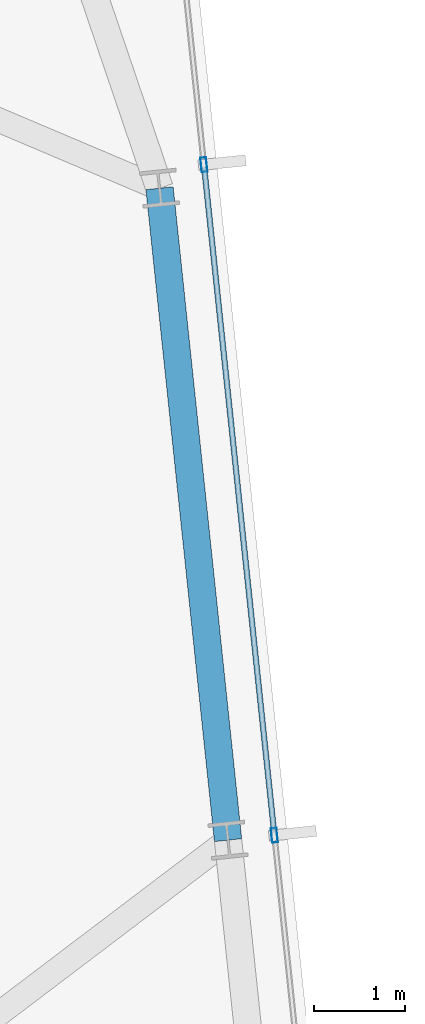
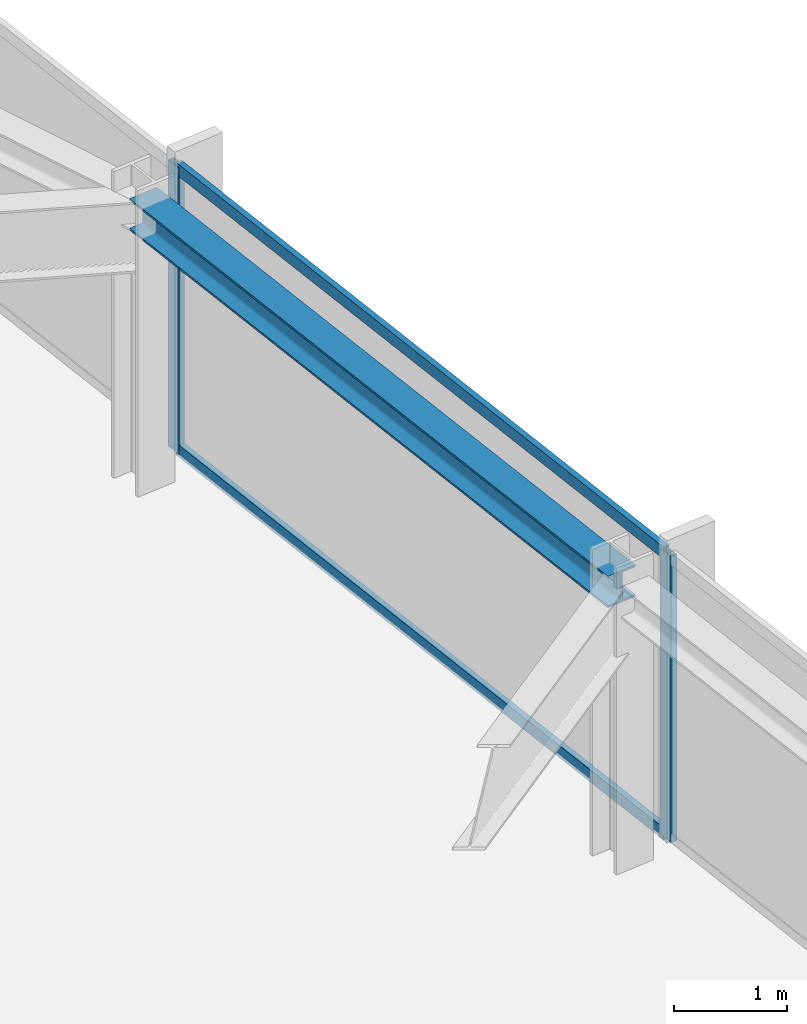
# One storey, part 19 of 32: 4 members, 1 beam, 1 element without a shape of its own.
"""IFC4 building model written with IfcOpenShell, lengths in metres."""

from ifc_helpers import new_model, si_unit, direction, frame, origin, origin_2d, place, context, subcontext, project, spatial, hollow_rectangle, i_section, extrude, material, material_profile, profile_set, type_object, element, aggregate, save


model = new_model("IFC4")

# Units and contexts
model_context = context("Model", 3, precision=1e-05, world=origin(), true_north=direction((0.0, 1.0)))
body_context = subcontext(model_context, "Body", "Model", "MODEL_VIEW")
ifc_project = project(units=[si_unit("LENGTHUNIT", "METRE"), si_unit("AREAUNIT", "SQUARE_METRE"), si_unit("VOLUMEUNIT", "CUBIC_METRE"), si_unit("PLANEANGLEUNIT", "RADIAN"), si_unit("MASSUNIT", "GRAM", prefix="KILO")], contexts=[model_context])

# Site, building, storey
site_placement = place(None, origin())
site = spatial("IfcSite", under=ifc_project, at=site_placement, CompositionType="ELEMENT")
building_placement = place(site_placement, origin())
building = spatial("IfcBuilding", under=site, at=building_placement, Name="Yelkora Congress Tower", CompositionType="ELEMENT")
storey_placement = place(building_placement, frame((0.0, 0.0, 214.39990234375)))
storey = spatial("IfcBuildingStorey", under=building, at=storey_placement, Name="L59", CompositionType="ELEMENT", Elevation=214.39990234375)

# Beam
ifc_material_1 = material(Name="Steel S355J2", Category="steel")
ifc_material_profile_1 = material_profile(ifc_material_1, i_section(OverallWidth=0.300048828125, OverallDepth=0.340087890625, WebThickness=0.011962890625, FlangeThickness=0.021484375, FilletRadius=0.027099609375, at=origin_2d()), Name="HEB 340")
ifc_profile_set_1 = profile_set([ifc_material_profile_1], Name="Steel S355J2")
beam_type = type_object("IfcBeamType", Name="BM-SPAN-HEB340", PredefinedType="SPANDREL", material=ifc_profile_set_1)
beam_placement = place(storey_placement, frame((69.60400390625, 34.296142578125, 2.91015625), z_axis=(-0.104528914631, 0.994521847928, 0.0), x_axis=(-0.994521847928, -0.104528914631, 0.0)))
element("IfcBeam", 1, at=beam_placement, inside=storey, type_object=beam_type, Name="L59 Perimeter Beam 11", PredefinedType="SPANDREL", context=body_context, shape_type="SweptSolid", body=[
    extrude(i_section(OverallWidth=0.300048828125, OverallDepth=0.340087890625, WebThickness=0.011962890625, FlangeThickness=0.021484375, FilletRadius=0.027099609375, at=origin_2d()), origin(), (0.0, 0.0, 1.0), 7.175048828125),
])

# Curtain wall, members
ifc_material_2 = material(Name="Anodised aluminium and insulated glass", Category="aluminium")
curtain_wall_type = type_object("IfcCurtainWallType", Name="CW-SYS-B4", PredefinedType="NOTDEFINED", material=ifc_material_2)
curtain_wall_placement = place(storey_placement, origin())
curtain_wall = element("IfcCurtainWall", 2, at=curtain_wall_placement, inside=storey, type_object=curtain_wall_type, Name="L59 Unitised Curtain Wall 15", PredefinedType="NOTDEFINED")
ifc_material_3 = material(Name="Anodised aluminium 6063-T6", Category="aluminium")
ifc_material_profile_2 = material_profile(ifc_material_3, hollow_rectangle(XDim=0.06494140625, YDim=0.159912109375, WallThickness=0.00390625, at=origin_2d()), Name="ALU 65x160x4")
ifc_profile_set_2 = profile_set([ifc_material_profile_2], Name="Anodised aluminium 6063-T6")
member_type_1 = type_object("IfcMemberType", Name="MEM-ML-B4", PredefinedType="MULLION", material=ifc_profile_set_2)
member_1_placement = place(storey_placement, frame((69.33984375, 41.68896484375, 0.0), z_axis=(0.0, 0.0, 1.0), x_axis=(0.994522182968, 0.104525726898, 0.0)))
member_1 = element("IfcMember", 3, at=member_1_placement, type_object=member_type_1, Name="CW-B4 mullion 2", PredefinedType="MULLION", context=body_context, shape_type="SweptSolid", body=[
    extrude(hollow_rectangle(XDim=0.06494140625, YDim=0.159912109375, WallThickness=0.00390625, at=origin_2d()), origin(), (0.0, 0.0, 1.0), 3.080078125),
])
member_2_placement = place(storey_placement, frame((70.111083984375, 34.349365234375, 0.0), z_axis=(0.0, 0.0, 1.0), x_axis=(0.994522182968, 0.104525726898, 0.0)))
member_2 = element("IfcMember", 4, at=member_2_placement, type_object=member_type_1, Name="CW-B4 mullion 3", PredefinedType="MULLION", context=body_context, shape_type="SweptSolid", body=[
    extrude(hollow_rectangle(XDim=0.06494140625, YDim=0.159912109375, WallThickness=0.00390625, at=origin_2d()), origin(), (0.0, 0.0, 1.0), 3.080078125),
])
ifc_material_profile_3 = material_profile(ifc_material_3, hollow_rectangle(XDim=0.06005859375, YDim=0.1298828125, WallThickness=0.00390625, at=origin_2d()), Name="ALU 60x130x4")
ifc_profile_set_3 = profile_set([ifc_material_profile_3], Name="Anodised aluminium 6063-T6")
member_type_2 = type_object("IfcMemberType", Name="MEM-TR-B4", PredefinedType="USERDEFINED", material=ifc_profile_set_3)
member_3_placement = place(storey_placement, frame((69.34326171875, 41.65673828125, 0.030029296875), z_axis=(0.104531896307, -0.994521534535, 0.0), x_axis=(0.994521534535, 0.104531896307, 0.0)))
member_3 = element("IfcMember", 5, at=member_3_placement, type_object=member_type_2, Name="CW-B4 transom 2.1", ObjectType="TRANSOM", PredefinedType="USERDEFINED", context=body_context, shape_type="SweptSolid", body=[
    extrude(hollow_rectangle(XDim=0.06005859375, YDim=0.1298828125, WallThickness=0.00390625, at=origin_2d()), origin(), (0.0, 0.0, 1.0), 7.31494140625),
])
member_4_placement = place(storey_placement, frame((69.34326171875, 41.65673828125, 3.050048828125), z_axis=(0.104531896307, -0.994521534535, 0.0), x_axis=(0.994521534535, 0.104531896307, 0.0)))
member_4 = element("IfcMember", 6, at=member_4_placement, type_object=member_type_2, Name="CW-B4 transom 2.2", ObjectType="TRANSOM", PredefinedType="USERDEFINED", context=body_context, shape_type="SweptSolid", body=[
    extrude(hollow_rectangle(XDim=0.06005859375, YDim=0.1298828125, WallThickness=0.00390625, at=origin_2d()), origin(), (0.0, 0.0, 1.0), 7.31494140625),
])
aggregate(curtain_wall, [member_1, member_2, member_3, member_4])

save(model, "model.ifc")
